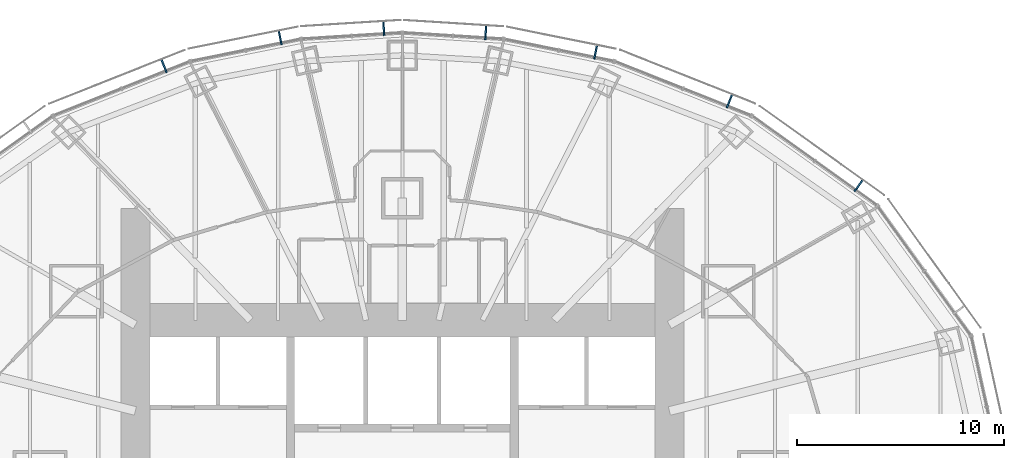
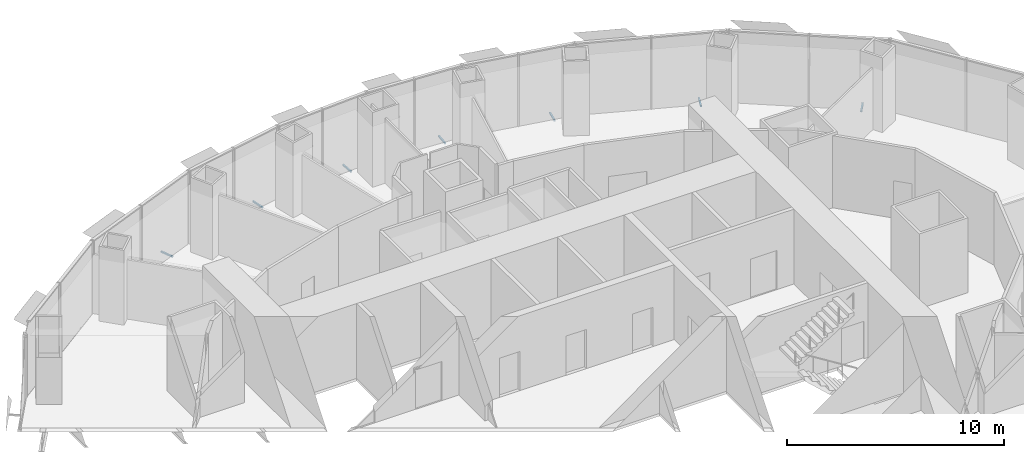
# One storey, part 15 of 18: 7 discrete accessories.
"""IFC4 building model written with IfcOpenShell, lengths in metres."""

import ifcopenshell
import ifcopenshell.guid

model = None  # the IFC model being written
_history = None  # IfcOwnerHistory: only IFC2X3 demands one
_inside = {}  # id of a spatial element -> (the spatial element, [elements in it])
_under = {}  # id of a project, library or spatial element -> (it, [spatial elements below it])
_declared = {}  # id of a project -> (the project, [libraries it declares])
_typed = {}  # id of a type object -> (the type object, [elements of that type])
_made_of = {}  # id of a material, layer set ... -> (it, [elements and type objects made of it])


def new_model(schema):
    """Start an empty IFC model of exactly this schema.

    Asked for "IFC4X3", IfcOpenShell would pick the latest addendum, in which some entities
    have other attributes; the version numbers below select the first issue.
    IFC2X3 requires an IfcOwnerHistory on every rooted entity: one is made here for all.
    """
    global model, _history
    if schema == "IFC4X3":
        model = ifcopenshell.file(schema_version=(4, 3, 0, 0))
    else:
        model = ifcopenshell.file(schema=schema)
    _inside.clear()
    _under.clear()
    _declared.clear()
    _typed.clear()
    _made_of.clear()
    _history = None
    if model.schema == "IFC2X3":
        org = make("IfcOrganization", Name="unknown")
        user = make(
            "IfcPersonAndOrganization",
            ThePerson=make("IfcPerson", FamilyName="unknown"),
            TheOrganization=org,
        )
        app = make(
            "IfcApplication",
            ApplicationDeveloper=org,
            Version="unknown",
            ApplicationFullName="unknown",
            ApplicationIdentifier="unknown",
        )
        _history = make(
            "IfcOwnerHistory",
            OwningUser=user,
            OwningApplication=app,
            ChangeAction="ADDED",
            CreationDate=0,
        )
    return model


def make(cls, **values):
    """One entity of the class cls with the attributes given. An attribute that is None is left unset."""
    return model.create_entity(
        cls, **{name: value for name, value in values.items() if value is not None}
    )


def rooted(cls, **values):
    """An entity with a GlobalId (a new one), such as an element, a storey or a relation."""
    return make(cls, GlobalId=ifcopenshell.guid.new(), OwnerHistory=_history, **values)


def si_unit(unit_type, name, prefix=None):
    """IfcSIUnit, for example si_unit("LENGTHUNIT", "METRE", prefix="MILLI")."""
    return make("IfcSIUnit", UnitType=unit_type, Prefix=prefix, Name=name)


def assignment(units):
    """IfcUnitAssignment: the units of a project."""
    return None if units is None else make("IfcUnitAssignment", Units=units)


def point(xyz):
    """IfcCartesianPoint."""
    return None if xyz is None else make("IfcCartesianPoint", Coordinates=xyz)


def direction(xyz):
    """IfcDirection."""
    return None if xyz is None else make("IfcDirection", DirectionRatios=xyz)


def frame(location, z_axis=None, x_axis=None):
    """IfcAxis2Placement3D, a coordinate frame: its origin and axes. An axis left out is left unset."""
    return make(
        "IfcAxis2Placement3D",
        Location=point(location),
        Axis=direction(z_axis),
        RefDirection=direction(x_axis),
    )


def frame_2d(location, x_axis=None):
    """IfcAxis2Placement2D, a coordinate frame in the plane: its origin and x axis."""
    return make(
        "IfcAxis2Placement2D", Location=point(location), RefDirection=direction(x_axis)
    )


def origin():
    """The frame at (0, 0, 0) with its axes left unset."""
    return frame((0.0, 0.0, 0.0))


def origin_2d():
    """The frame at (0, 0) in the plane with its x axis left unset."""
    return frame_2d((0.0, 0.0))


def place(relative_to, where):
    """IfcLocalPlacement: puts the frame where relative to a parent placement (None: the world)."""
    return make(
        "IfcLocalPlacement", PlacementRelTo=relative_to, RelativePlacement=where
    )


def context(
    kind, dimensions, precision=None, world=None, true_north=None, identifier=None
):
    """IfcGeometricRepresentationContext, for example the 3D "Model" context."""
    return make(
        "IfcGeometricRepresentationContext",
        ContextIdentifier=identifier,
        ContextType=kind,
        CoordinateSpaceDimension=dimensions,
        Precision=precision,
        WorldCoordinateSystem=world,
        TrueNorth=true_north,
    )


def subcontext(parent, identifier, kind, view, scale=None):
    """IfcGeometricRepresentationSubContext, for example "Body" below "Model"."""
    return make(
        "IfcGeometricRepresentationSubContext",
        ContextIdentifier=identifier,
        ContextType=kind,
        ParentContext=parent,
        TargetScale=scale,
        TargetView=view,
    )


def project(units=None, contexts=None):
    """IfcProject with its units and contexts."""
    return rooted(
        "IfcProject",
        Name="project",
        RepresentationContexts=contexts,
        UnitsInContext=assignment(units),
    )


def spatial(cls, under=None, at=None, **own):
    """A site, building, storey or space (cls), placed at a placement, below another one or the project."""
    s = rooted(cls, ObjectPlacement=at, **own)
    if under is not None:
        _under.setdefault(under.id(), (under, []))[1].append(s)
    return s


def profile(cls, at=None, kind="AREA", **sizes):
    """A parametric profile (cls). Its sizes go by their IFC names, for example OverallWidth=200.0."""
    return make(cls, ProfileType=kind, Position=at, **sizes)


def rectangle(**sizes):
    """IfcRectangleProfileDef."""
    return profile("IfcRectangleProfileDef", **sizes)


def extrude(swept, where, along, depth):
    """IfcExtrudedAreaSolid: the profile swept, set in the frame where, extruded along a direction by depth."""
    return make(
        "IfcExtrudedAreaSolid",
        SweptArea=swept,
        Position=where,
        ExtrudedDirection=direction(along),
        Depth=depth,
    )


def shape(context_of_items, identifier, shape_type, items):
    """IfcShapeRepresentation: the items that make up one representation, for example the "Body"."""
    return make(
        "IfcShapeRepresentation",
        ContextOfItems=context_of_items,
        RepresentationIdentifier=identifier,
        RepresentationType=shape_type,
        Items=items,
    )


def made_of(thing, what):
    """Note that an element or type object is made of a material, layer set ...; save() writes the relation."""
    if what is not None:
        _made_of.setdefault(what.id(), (what, []))[1].append(thing)
    return thing


def element(
    cls,
    number,
    at=None,
    inside=None,
    cuts=None,
    type_object=None,
    material=None,
    context=None,
    identifier="Body",
    shape_type=None,
    held_by="IfcProductDefinitionShape",
    body=None,
    shapes=None,
    **own,
):
    """One element of the class cls, such as IfcWall. Its Tag is "e" and its number.

    at: its placement. inside: the storey or other place that contains it. cuts: it is an
    opening in that element (IfcRelVoidsElement). A single representation is given by context,
    identifier, shape_type and body (its items); several are given by shapes. held_by: the class
    of the entity that holds the representations. save() writes the other relations.
    """
    e = rooted(cls, Tag="e%d" % number, ObjectPlacement=at, **own)
    if body is not None:
        shapes = [shape(context, identifier, shape_type, body)]
    if shapes is not None:
        e.Representation = make(held_by, Representations=shapes)
    if inside is not None:
        _inside.setdefault(inside.id(), (inside, []))[1].append(e)
    if cuts is not None:
        rooted(
            "IfcRelVoidsElement", RelatingBuildingElement=cuts, RelatedOpeningElement=e
        )
    if type_object is not None:
        _typed.setdefault(type_object.id(), (type_object, []))[1].append(e)
    return made_of(e, material)


def aggregate(whole, parts):
    """IfcRelAggregates: a whole, such as a stair, and the parts it consists of."""
    return rooted("IfcRelAggregates", RelatingObject=whole, RelatedObjects=parts)


def save(model, path):
    """Write the relations noted so far, then the file.

    IfcRelAggregates (storeys below a building ...), IfcRelContainedInSpatialStructure (elements
    in a storey), IfcRelDefinesByType, IfcRelAssociatesMaterial and IfcRelDeclares: one each for
    every whole, place, type object, material and project.
    """
    for whole, parts in _under.values():
        aggregate(whole, parts)
    for where, things in _inside.values():
        rooted(
            "IfcRelContainedInSpatialStructure",
            RelatedElements=things,
            RelatingStructure=where,
        )
    for kind, things in _typed.values():
        rooted("IfcRelDefinesByType", RelatedObjects=things, RelatingType=kind)
    for what, things in _made_of.values():
        rooted("IfcRelAssociatesMaterial", RelatedObjects=things, RelatingMaterial=what)
    for by, libraries in _declared.values():
        rooted("IfcRelDeclares", RelatingContext=by, RelatedDefinitions=libraries)
    model.write(path)


model = new_model("IFC4")

# Units and contexts
model_context = context("Model", 3, precision=1e-05, world=origin(), true_north=direction((0.0, 1.0)))
body_context = subcontext(model_context, "Body", "Model", "MODEL_VIEW")
ifc_project = project(units=[si_unit("LENGTHUNIT", "METRE"), si_unit("AREAUNIT", "SQUARE_METRE"), si_unit("VOLUMEUNIT", "CUBIC_METRE"), si_unit("PLANEANGLEUNIT", "RADIAN"), si_unit("MASSUNIT", "GRAM", prefix="KILO")], contexts=[model_context])

# Site, building, storey
site_placement = place(None, origin())
site = spatial("IfcSite", under=ifc_project, at=site_placement, CompositionType="ELEMENT")
building_placement = place(site_placement, origin())
building = spatial("IfcBuilding", under=site, at=building_placement, Name="Lantaw Convention Tower", CompositionType="ELEMENT")
storey_placement = place(building_placement, frame((0.0, 0.0, 142.60009765625)))
storey = spatial("IfcBuildingStorey", under=building, at=storey_placement, Name="L33", CompositionType="ELEMENT", Elevation=142.60009765625)

# Discrete accessories
for number, where, z_axis, x_axis, name in (
    (1, (22.044189453125, 14.10546875, -0.115234375), (0.0, 0.0, 1.0), (-0.813208325995, 0.581972695693, 0.0), "Screen bracket"),
    (2, (15.802978515625, 18.18798828125, -0.115234375), (0.0, 0.0, 1.0), (-0.929547687544, 0.368701907483, 0.0), "Screen bracket"),
    (3, (9.339599609375, 20.56005859375, -0.115234375), (0.0, 0.0, 1.0), (-0.980301514912, 0.197506809659, 0.0), "Screen bracket"),
    (4, (4.027099609375, 21.505859375, -0.115234375), (0.0, 0.0, 1.0), (-0.998022035978, 0.062865059466, 0.0), "Screen bracket"),
    (5, (-0.89794921875, 21.702880859375, -0.115234375), (0.0, 0.0, 1.0), (-0.998022035978, -0.062865059466, 0.0), "Screen bracket"),
    (6, (-5.903076171875, 21.25244140625, -0.115234375), (0.0, 0.0, 1.0), (-0.980301514912, -0.197506809659, 0.0), "Screen bracket"),
    (7, (-11.517822265625, 19.887939453125, -0.115234375), (0.0, 0.0, 1.0), (-0.929547687544, -0.368701907483, 0.0), "Screen bracket"),
):
    element("IfcDiscreteAccessory", number, at=place(storey_placement, frame(where, z_axis=z_axis, x_axis=x_axis)), inside=storey, Name=name, PredefinedType="BRACKET", context=body_context, shape_type="SweptSolid", body=[
        extrude(rectangle(XDim=0.080078125, YDim=0.68798828125, at=origin_2d()), origin(), (0.0, 0.0, 1.0), 0.080078125),
    ])

save(model, "model.ifc")
